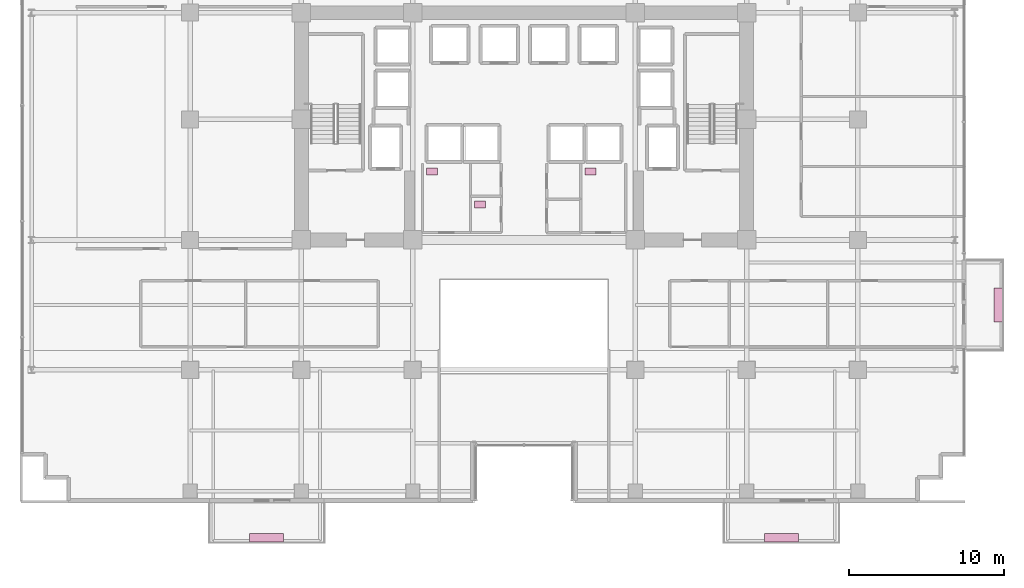
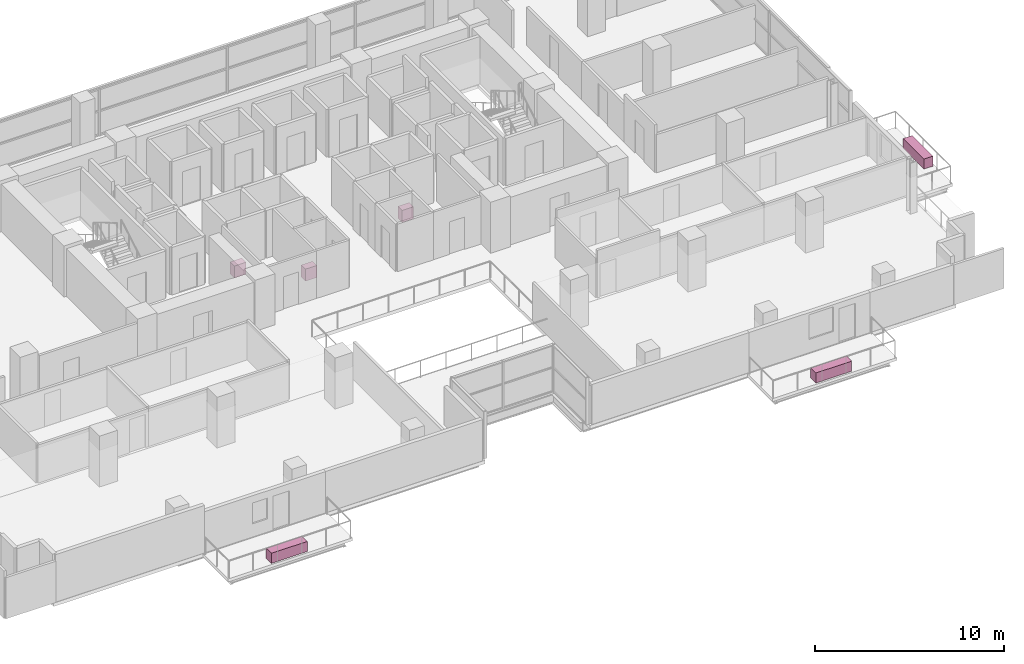
# One storey, part 30 of 30: 6 furnishings.
"""IFC4 building model written with IfcOpenShell, lengths in metres."""

from ifc_helpers import new_model, si_unit, direction, frame, origin, origin_2d, place, context, subcontext, project, spatial, rectangle, extrude, source, transform, mapped, material, type_object, element, save


model = new_model("IFC4")

# Units and contexts
model_context = context("Model", 3, precision=1e-05, world=origin(), true_north=direction((0.0, 1.0)))
body_context = subcontext(model_context, "Body", "Model", "MODEL_VIEW")
ifc_project = project(units=[si_unit("LENGTHUNIT", "METRE"), si_unit("AREAUNIT", "SQUARE_METRE"), si_unit("VOLUMEUNIT", "CUBIC_METRE"), si_unit("PLANEANGLEUNIT", "RADIAN"), si_unit("MASSUNIT", "GRAM", prefix="KILO")], contexts=[model_context])

# Site, building, storey
site_placement = place(None, origin())
site = spatial("IfcSite", under=ifc_project, at=site_placement, CompositionType="ELEMENT")
building_placement = place(site_placement, origin())
building = spatial("IfcBuilding", under=site, at=building_placement, Name="Zarnakvel Exchange Tower", CompositionType="ELEMENT")
storey_placement = place(building_placement, frame((0.0, 0.0, 50.5)))
storey = spatial("IfcBuildingStorey", under=building, at=storey_placement, Name="L13", CompositionType="ELEMENT", Elevation=50.5)

# Furnishings
ifc_material_1 = material(Name="Architectural Bronze Anodised Aluminium", Category="aluminium")
furnishing_element_type_1 = type_object("IfcFurnishingElementType", Name="PLNT-01", material=ifc_material_1)
shared_shape_1 = source(origin(), body_context, "Body", "SweptSolid", [
    extrude(rectangle(XDim=2.199951171875, YDim=0.550048828125, at=origin_2d()), origin(), (0.0, 0.0, 1.0), 0.64990234375),
])
for number, where, z_axis, x_axis, name in (
    (1, (-16.64990234375, -20.469970703125, -0.034912109375), (0.0, 0.0, 1.0), (1.0, 0.0, 0.0), "L13 Balcony Greenery Planter BAL-L13-SW"),
    (2, (16.64990234375, -20.469970703125, -0.034912109375), (0.0, 0.0, 1.0), (1.0, 0.0, 0.0), "L13 Balcony Greenery Planter BAL-L13-SE"),
    (3, (30.669921875, -5.39990234375, -0.034912109375), (0.0, 0.0, 1.0), (0.0, 1.0, 0.0), "L13 Balcony Greenery Planter BAL-L13-E"),
):
    element("IfcFurnishingElement", number, at=place(storey_placement, frame(where, z_axis=z_axis, x_axis=x_axis)), inside=storey, type_object=furnishing_element_type_1, Name=name, ObjectType="PLANTER", context=body_context, shape_type="MappedRepresentation", body=[
        mapped(shared_shape_1, transform((0.0, 0.0, 0.0), x_axis=(1.0, 0.0, 0.0), y_axis=(0.0, 1.0, 0.0), z_axis=(0.0, 0.0, 1.0), scale=1.0)),
    ])
ifc_material_2 = material(Name="Vitreous China Sanitaryware", Category="ceramic")
furnishing_element_type_2 = type_object("IfcFurnishingElementType", Name="SAN-WC", material=ifc_material_2)
shared_shape_2 = source(origin(), body_context, "Body", "SweptSolid", [
    extrude(rectangle(XDim=0.699951171875, YDim=0.449951171875, at=origin_2d()), origin(), (0.0, 0.0, 1.0), 0.780029296875),
])
for number, where, z_axis, x_axis, name in (
    (4, (-5.949951171875, 3.22998046875, 0.0), (0.0, 0.0, 1.0), (1.0, 0.0, 0.0), "L13 Sanitary Fixture (Male Toilet)"),
    (5, (-2.840087890625, 1.10009765625, 0.0), (0.0, 0.0, 1.0), (1.0, 0.0, 0.0), "L13 Sanitary Fixture (Accessible Toilet)"),
    (6, (4.31005859375, 3.22998046875, 0.0), (0.0, 0.0, 1.0), (1.0, 0.0, 0.0), "L13 Sanitary Fixture (Female Toilet)"),
):
    element("IfcFurnishingElement", number, at=place(storey_placement, frame(where, z_axis=z_axis, x_axis=x_axis)), inside=storey, type_object=furnishing_element_type_2, Name=name, ObjectType="SANITARY_FIXTURE", context=body_context, shape_type="MappedRepresentation", body=[
        mapped(shared_shape_2, transform((0.0, 0.0, 0.0), x_axis=(1.0, 0.0, 0.0), y_axis=(0.0, 1.0, 0.0), z_axis=(0.0, 0.0, 1.0), scale=1.0)),
    ])

save(model, "model.ifc")
